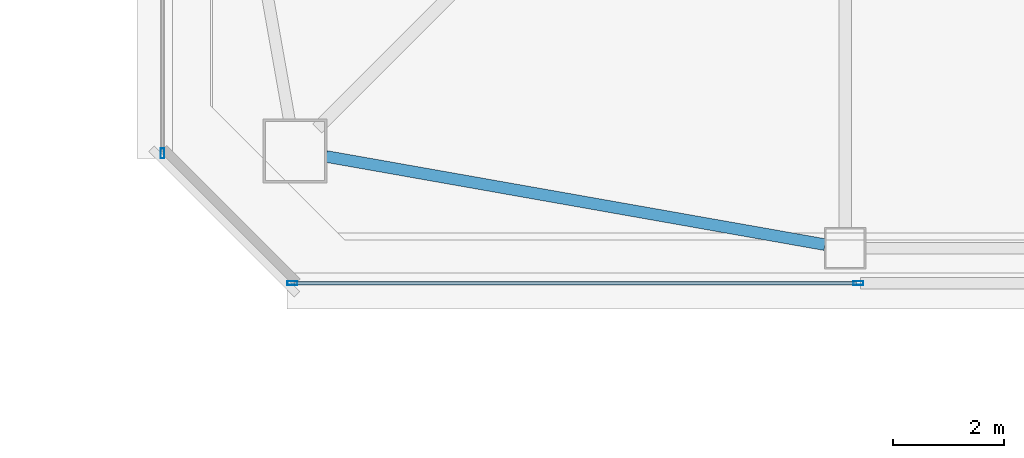
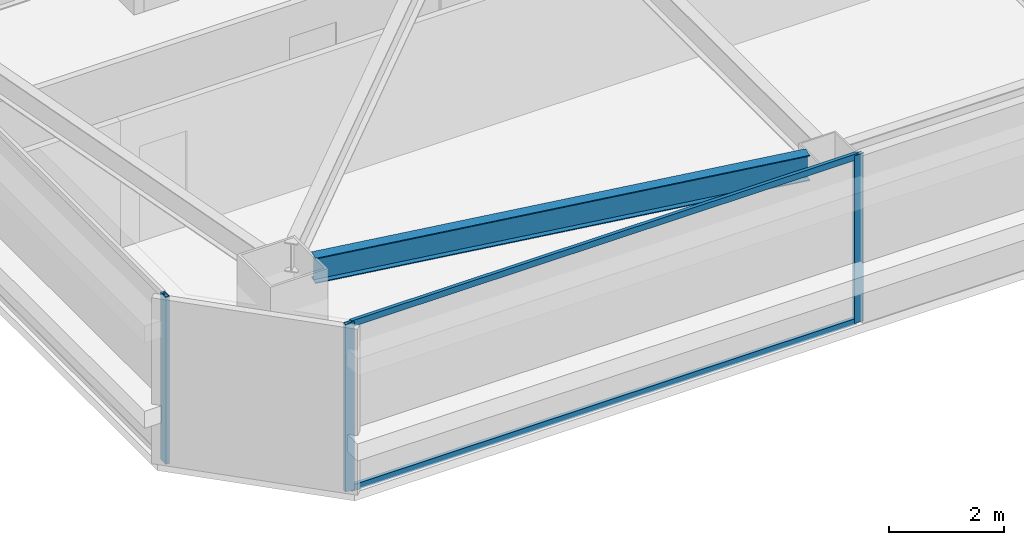
# One storey, part 3 of 41: 5 members, 1 beam, 2 elements without a shape of their own.
"""IFC4 building model written with IfcOpenShell, lengths in metres."""

from ifc_helpers import new_model, si_unit, direction, frame, origin, origin_2d, place, context, subcontext, project, spatial, hollow_rectangle, i_section, extrude, material, material_profile, profile_set, type_object, element, aggregate, save


model = new_model("IFC4")

# Units and contexts
model_context = context("Model", 3, precision=1e-05, world=origin(), true_north=direction((0.0, 1.0)))
body_context = subcontext(model_context, "Body", "Model", "MODEL_VIEW")
ifc_project = project(units=[si_unit("LENGTHUNIT", "METRE"), si_unit("AREAUNIT", "SQUARE_METRE"), si_unit("VOLUMEUNIT", "CUBIC_METRE"), si_unit("PLANEANGLEUNIT", "RADIAN"), si_unit("MASSUNIT", "GRAM", prefix="KILO")], contexts=[model_context])

# Site, building, storey
site_placement = place(None, origin())
site = spatial("IfcSite", under=ifc_project, at=site_placement, CompositionType="ELEMENT")
building_placement = place(site_placement, origin())
building = spatial("IfcBuilding", under=site, at=building_placement, Name="Tashvorn Skyway Center", CompositionType="ELEMENT")
storey_placement = place(building_placement, frame((0.0, 0.0, 192.5)))
storey = spatial("IfcBuildingStorey", under=building, at=storey_placement, Name="L52", CompositionType="ELEMENT", Elevation=192.5)

# Beam
ifc_material_1 = material(Name="Steel ASTM A992 Grade 50", Category="steel")
ifc_material_profile_1 = material_profile(ifc_material_1, i_section(OverallWidth=0.2109375, OverallDepth=0.5390625, WebThickness=0.01171875, FlangeThickness=0.018798828125, at=origin_2d()), Name="W21X73")
ifc_profile_set_1 = profile_set([ifc_material_profile_1], Name="Steel ASTM A992 Grade 50")
beam_type = type_object("IfcBeamType", Name="BM-SPANDREL-W21X73", PredefinedType="SPANDREL", material=ifc_profile_set_1)
beam_placement = place(storey_placement, frame((27.26123046875, 16.600830078125, 3.1005859375), z_axis=(0.984732545667, -0.174074160933, 0.0), x_axis=(0.174074160933, 0.984732545667, 0.0)))
element("IfcBeam", 1, at=beam_placement, inside=storey, type_object=beam_type, Name="Tower 1 L52 Spandrel Beam 01", PredefinedType="SPANDREL", context=body_context, shape_type="SweptSolid", body=[
    extrude(i_section(OverallWidth=0.2109375, OverallDepth=0.5390625, WebThickness=0.01171875, FlangeThickness=0.018798828125, at=origin_2d()), origin(), (0.0, 0.0, 1.0), 9.113525390625),
])

# Curtain wall, members
ifc_material_2 = material(Name="Thermally broken bronze-anodized aluminium 6063-T6", Category="aluminium")
curtain_wall_type = type_object("IfcCurtainWallType", Name="CW-CW-Z4", PredefinedType="NOTDEFINED", material=ifc_material_2)
curtain_wall_1_placement = place(storey_placement, origin())
curtain_wall_1 = element("IfcCurtainWall", 2, at=curtain_wall_1_placement, inside=storey, type_object=curtain_wall_type, Name="Tower 1 L52 South Unitised Curtain Wall Glazing Group 2", PredefinedType="NOTDEFINED")
ifc_material_profile_2 = material_profile(ifc_material_2, hollow_rectangle(XDim=0.070068359375, YDim=0.179931640625, WallThickness=0.00390625, at=origin_2d()), Name="ALU-MULL-70x180")
ifc_profile_set_2 = profile_set([ifc_material_profile_2], Name="Thermally broken bronze-anodized aluminium 6063-T6")
member_type_1 = type_object("IfcMemberType", Name="CWM-CW-Z4", PredefinedType="MULLION", material=ifc_profile_set_2)
member_1_placement = place(storey_placement, frame((36.83837890625, 14.320068359375, 0.0), z_axis=(0.0, 0.0, 1.0), x_axis=(0.0, -1.0, 0.0)))
member_1 = element("IfcMember", 3, at=member_1_placement, type_object=member_type_1, Name="CW-Z4 mullion 1", PredefinedType="MULLION", context=body_context, shape_type="SweptSolid", body=[
    extrude(hollow_rectangle(XDim=0.070068359375, YDim=0.179931640625, WallThickness=0.00390625, at=origin_2d()), origin(), (0.0, 0.0, 1.0), 3.550048828125),
])
member_2_placement = place(storey_placement, frame((26.655029296875, 14.320068359375, 0.0), z_axis=(0.0, 0.0, 1.0), x_axis=(0.0, -1.0, 0.0)))
member_2 = element("IfcMember", 4, at=member_2_placement, type_object=member_type_1, Name="CW-Z4 mullion 2", PredefinedType="MULLION", context=body_context, shape_type="SweptSolid", body=[
    extrude(hollow_rectangle(XDim=0.070068359375, YDim=0.179931640625, WallThickness=0.00390625, at=origin_2d()), origin(), (0.0, 0.0, 1.0), 3.550048828125),
])

# Curtain wall, member
curtain_wall_2_placement = place(storey_placement, origin())
curtain_wall_2 = element("IfcCurtainWall", 5, at=curtain_wall_2_placement, inside=storey, type_object=curtain_wall_type, Name="Tower 1 L52 West Curtain Wall L", PredefinedType="NOTDEFINED")
member_3_placement = place(storey_placement, frame((24.320068359375, 16.655029296875, 0.0), z_axis=(0.0, 0.0, 1.0), x_axis=(-1.0, 0.0, 0.0)))
member_3 = element("IfcMember", 6, at=member_3_placement, type_object=member_type_1, Name="CW-Z4 mullion 1", PredefinedType="MULLION", context=body_context, shape_type="SweptSolid", body=[
    extrude(hollow_rectangle(XDim=0.070068359375, YDim=0.179931640625, WallThickness=0.00390625, at=origin_2d()), origin(), (0.0, 0.0, 1.0), 3.550048828125),
])
aggregate(curtain_wall_2, [member_3])

# Member
ifc_material_profile_3 = material_profile(ifc_material_2, hollow_rectangle(XDim=0.070068359375, YDim=0.1298828125, WallThickness=0.00390625, at=origin_2d()), Name="ALU-TRAN-70x130")
ifc_profile_set_3 = profile_set([ifc_material_profile_3], Name="Thermally broken bronze-anodized aluminium 6063-T6")
member_type_2 = type_object("IfcMemberType", Name="CWT-CW-Z4", PredefinedType="USERDEFINED", material=ifc_profile_set_3)
member_4_placement = place(storey_placement, frame((36.80322265625, 14.320068359375, 0.034912109375), z_axis=(-1.0, 0.0, 0.0), x_axis=(0.0, -1.0, 0.0)))
member_4 = element("IfcMember", 7, at=member_4_placement, type_object=member_type_2, Name="CW-Z4 transom 1.1", ObjectType="TRANSOM", PredefinedType="USERDEFINED", context=body_context, shape_type="SweptSolid", body=[
    extrude(hollow_rectangle(XDim=0.070068359375, YDim=0.1298828125, WallThickness=0.00390625, at=origin_2d()), origin(), (0.0, 0.0, 1.0), 10.11328125),
])

member_5_placement = place(storey_placement, frame((36.80322265625, 14.320068359375, 3.514892578125), z_axis=(-1.0, 0.0, 0.0), x_axis=(0.0, -1.0, 0.0)))
member_5 = element("IfcMember", 8, at=member_5_placement, type_object=member_type_2, Name="CW-Z4 transom 1.2", ObjectType="TRANSOM", PredefinedType="USERDEFINED", context=body_context, shape_type="SweptSolid", body=[
    extrude(hollow_rectangle(XDim=0.070068359375, YDim=0.1298828125, WallThickness=0.00390625, at=origin_2d()), origin(), (0.0, 0.0, 1.0), 10.11328125),
])

aggregate(curtain_wall_1, [member_1, member_2, member_4, member_5])

save(model, "model.ifc")
